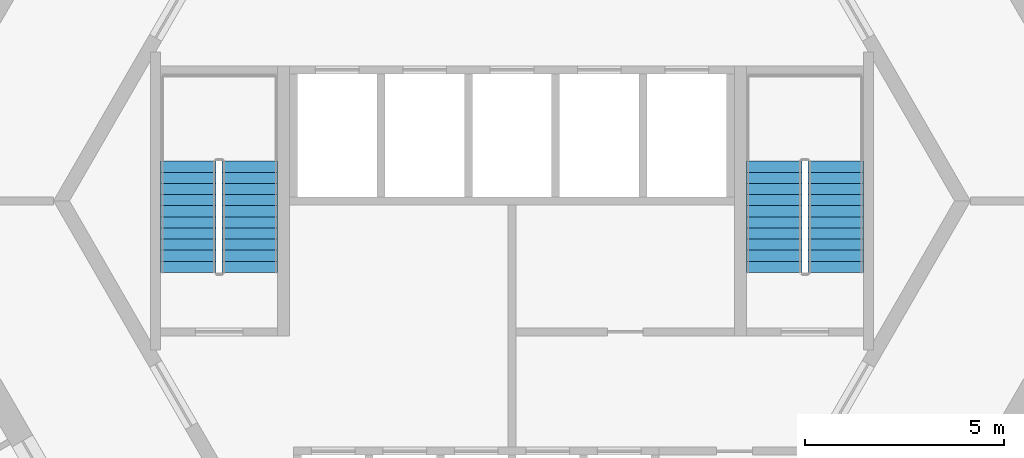
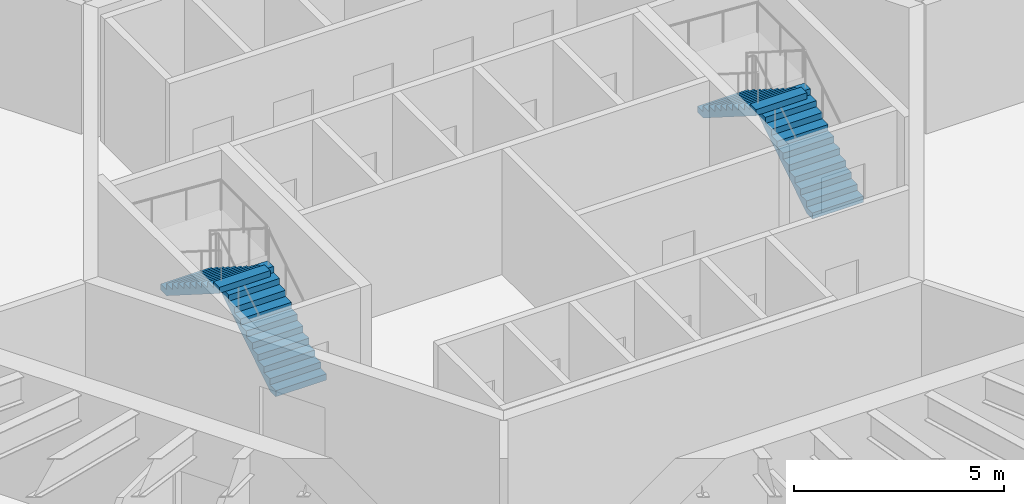
# One storey, part 11 of 13: 4 stair flights, 2 elements without a shape of their own.
"""IFC4 building model written with IfcOpenShell, lengths in metres."""

import ifcopenshell
import ifcopenshell.guid

model = None  # the IFC model being written
_history = None  # IfcOwnerHistory: only IFC2X3 demands one
_inside = {}  # id of a spatial element -> (the spatial element, [elements in it])
_under = {}  # id of a project, library or spatial element -> (it, [spatial elements below it])
_declared = {}  # id of a project -> (the project, [libraries it declares])
_typed = {}  # id of a type object -> (the type object, [elements of that type])
_made_of = {}  # id of a material, layer set ... -> (it, [elements and type objects made of it])


def new_model(schema):
    """Start an empty IFC model of exactly this schema.

    Asked for "IFC4X3", IfcOpenShell would pick the latest addendum, in which some entities
    have other attributes; the version numbers below select the first issue.
    IFC2X3 requires an IfcOwnerHistory on every rooted entity: one is made here for all.
    """
    global model, _history
    if schema == "IFC4X3":
        model = ifcopenshell.file(schema_version=(4, 3, 0, 0))
    else:
        model = ifcopenshell.file(schema=schema)
    _inside.clear()
    _under.clear()
    _declared.clear()
    _typed.clear()
    _made_of.clear()
    _history = None
    if model.schema == "IFC2X3":
        org = make("IfcOrganization", Name="unknown")
        user = make(
            "IfcPersonAndOrganization",
            ThePerson=make("IfcPerson", FamilyName="unknown"),
            TheOrganization=org,
        )
        app = make(
            "IfcApplication",
            ApplicationDeveloper=org,
            Version="unknown",
            ApplicationFullName="unknown",
            ApplicationIdentifier="unknown",
        )
        _history = make(
            "IfcOwnerHistory",
            OwningUser=user,
            OwningApplication=app,
            ChangeAction="ADDED",
            CreationDate=0,
        )
    return model


def make(cls, **values):
    """One entity of the class cls with the attributes given. An attribute that is None is left unset."""
    return model.create_entity(
        cls, **{name: value for name, value in values.items() if value is not None}
    )


def rooted(cls, **values):
    """An entity with a GlobalId (a new one), such as an element, a storey or a relation."""
    return make(cls, GlobalId=ifcopenshell.guid.new(), OwnerHistory=_history, **values)


def si_unit(unit_type, name, prefix=None):
    """IfcSIUnit, for example si_unit("LENGTHUNIT", "METRE", prefix="MILLI")."""
    return make("IfcSIUnit", UnitType=unit_type, Prefix=prefix, Name=name)


def assignment(units):
    """IfcUnitAssignment: the units of a project."""
    return None if units is None else make("IfcUnitAssignment", Units=units)


def point(xyz):
    """IfcCartesianPoint."""
    return None if xyz is None else make("IfcCartesianPoint", Coordinates=xyz)


def direction(xyz):
    """IfcDirection."""
    return None if xyz is None else make("IfcDirection", DirectionRatios=xyz)


def frame(location, z_axis=None, x_axis=None):
    """IfcAxis2Placement3D, a coordinate frame: its origin and axes. An axis left out is left unset."""
    return make(
        "IfcAxis2Placement3D",
        Location=point(location),
        Axis=direction(z_axis),
        RefDirection=direction(x_axis),
    )


def origin():
    """The frame at (0, 0, 0) with its axes left unset."""
    return frame((0.0, 0.0, 0.0))


def place(relative_to, where):
    """IfcLocalPlacement: puts the frame where relative to a parent placement (None: the world)."""
    return make(
        "IfcLocalPlacement", PlacementRelTo=relative_to, RelativePlacement=where
    )


def context(
    kind, dimensions, precision=None, world=None, true_north=None, identifier=None
):
    """IfcGeometricRepresentationContext, for example the 3D "Model" context."""
    return make(
        "IfcGeometricRepresentationContext",
        ContextIdentifier=identifier,
        ContextType=kind,
        CoordinateSpaceDimension=dimensions,
        Precision=precision,
        WorldCoordinateSystem=world,
        TrueNorth=true_north,
    )


def subcontext(parent, identifier, kind, view, scale=None):
    """IfcGeometricRepresentationSubContext, for example "Body" below "Model"."""
    return make(
        "IfcGeometricRepresentationSubContext",
        ContextIdentifier=identifier,
        ContextType=kind,
        ParentContext=parent,
        TargetScale=scale,
        TargetView=view,
    )


def project(units=None, contexts=None):
    """IfcProject with its units and contexts."""
    return rooted(
        "IfcProject",
        Name="project",
        RepresentationContexts=contexts,
        UnitsInContext=assignment(units),
    )


def spatial(cls, under=None, at=None, **own):
    """A site, building, storey or space (cls), placed at a placement, below another one or the project."""
    s = rooted(cls, ObjectPlacement=at, **own)
    if under is not None:
        _under.setdefault(under.id(), (under, []))[1].append(s)
    return s


def polyline(points):
    """IfcPolyline through the points."""
    return make("IfcPolyline", Points=[point(p) for p in points])


def outline(outer, holes=None, kind="AREA"):
    """IfcArbitraryClosedProfileDef: a profile drawn as a closed curve; with holes, ...WithVoids."""
    if holes is None:
        return make("IfcArbitraryClosedProfileDef", ProfileType=kind, OuterCurve=outer)
    return make(
        "IfcArbitraryProfileDefWithVoids",
        ProfileType=kind,
        OuterCurve=outer,
        InnerCurves=holes,
    )


def extrude(swept, where, along, depth):
    """IfcExtrudedAreaSolid: the profile swept, set in the frame where, extruded along a direction by depth."""
    return make(
        "IfcExtrudedAreaSolid",
        SweptArea=swept,
        Position=where,
        ExtrudedDirection=direction(along),
        Depth=depth,
    )


def shape(context_of_items, identifier, shape_type, items):
    """IfcShapeRepresentation: the items that make up one representation, for example the "Body"."""
    return make(
        "IfcShapeRepresentation",
        ContextOfItems=context_of_items,
        RepresentationIdentifier=identifier,
        RepresentationType=shape_type,
        Items=items,
    )


def material(Name=None, Category=None):
    """IfcMaterial."""
    return make("IfcMaterial", Name=Name, Category=Category)


def made_of(thing, what):
    """Note that an element or type object is made of a material, layer set ...; save() writes the relation."""
    if what is not None:
        _made_of.setdefault(what.id(), (what, []))[1].append(thing)
    return thing


def type_object(cls, material=None, **own):
    """A type object (cls), such as IfcWallType, which elements share."""
    return made_of(rooted(cls, **own), material)


def element(
    cls,
    number,
    at=None,
    inside=None,
    cuts=None,
    type_object=None,
    material=None,
    context=None,
    identifier="Body",
    shape_type=None,
    held_by="IfcProductDefinitionShape",
    body=None,
    shapes=None,
    **own,
):
    """One element of the class cls, such as IfcWall. Its Tag is "e" and its number.

    at: its placement. inside: the storey or other place that contains it. cuts: it is an
    opening in that element (IfcRelVoidsElement). A single representation is given by context,
    identifier, shape_type and body (its items); several are given by shapes. held_by: the class
    of the entity that holds the representations. save() writes the other relations.
    """
    e = rooted(cls, Tag="e%d" % number, ObjectPlacement=at, **own)
    if body is not None:
        shapes = [shape(context, identifier, shape_type, body)]
    if shapes is not None:
        e.Representation = make(held_by, Representations=shapes)
    if inside is not None:
        _inside.setdefault(inside.id(), (inside, []))[1].append(e)
    if cuts is not None:
        rooted(
            "IfcRelVoidsElement", RelatingBuildingElement=cuts, RelatedOpeningElement=e
        )
    if type_object is not None:
        _typed.setdefault(type_object.id(), (type_object, []))[1].append(e)
    return made_of(e, material)


def aggregate(whole, parts):
    """IfcRelAggregates: a whole, such as a stair, and the parts it consists of."""
    return rooted("IfcRelAggregates", RelatingObject=whole, RelatedObjects=parts)


def save(model, path):
    """Write the relations noted so far, then the file.

    IfcRelAggregates (storeys below a building ...), IfcRelContainedInSpatialStructure (elements
    in a storey), IfcRelDefinesByType, IfcRelAssociatesMaterial and IfcRelDeclares: one each for
    every whole, place, type object, material and project.
    """
    for whole, parts in _under.values():
        aggregate(whole, parts)
    for where, things in _inside.values():
        rooted(
            "IfcRelContainedInSpatialStructure",
            RelatedElements=things,
            RelatingStructure=where,
        )
    for kind, things in _typed.values():
        rooted("IfcRelDefinesByType", RelatedObjects=things, RelatingType=kind)
    for what, things in _made_of.values():
        rooted("IfcRelAssociatesMaterial", RelatedObjects=things, RelatingMaterial=what)
    for by, libraries in _declared.values():
        rooted("IfcRelDeclares", RelatingContext=by, RelatedDefinitions=libraries)
    model.write(path)


model = new_model("IFC4")

# Units and contexts
model_context = context("Model", 3, precision=1e-05, world=origin(), true_north=direction((0.0, 1.0)))
body_context = subcontext(model_context, "Body", "Model", "MODEL_VIEW")
ifc_project = project(units=[si_unit("LENGTHUNIT", "METRE"), si_unit("AREAUNIT", "SQUARE_METRE"), si_unit("VOLUMEUNIT", "CUBIC_METRE"), si_unit("PLANEANGLEUNIT", "RADIAN"), si_unit("MASSUNIT", "GRAM", prefix="KILO")], contexts=[model_context])

# Site, building, storey
site_placement = place(None, origin())
site = spatial("IfcSite", under=ifc_project, at=site_placement, CompositionType="ELEMENT")
building_placement = place(site_placement, origin())
building = spatial("IfcBuilding", under=site, at=building_placement, Name="Tarnside Tower", CompositionType="ELEMENT")
storey_placement = place(building_placement, frame((0.0, 0.0, 123.300048828125)))
storey = spatial("IfcBuildingStorey", under=building, at=storey_placement, Name="L28", CompositionType="ELEMENT", Elevation=123.300048828125)

# Stair, stair flights
ifc_material = material(Name="Concrete C40/50", Category="concrete")
stair_type = type_object("IfcStairType", Name="Exit stair 1400 clear", PredefinedType="HALF_TURN_STAIR", material=ifc_material)
stair_1_placement = place(storey_placement, origin())
stair_1 = element("IfcStair", 1, at=stair_1_placement, inside=storey, type_object=stair_type, Name="L28 Exit stair 1", PredefinedType="HALF_TURN_STAIR")
stair_flight_type = type_object("IfcStairFlightType", Name="Exit stair flight 1400", PredefinedType="STRAIGHT", material=ifc_material)
stair_flight_1_placement = place(storey_placement, frame((8.14990234375, -1.800048828125, 0.0), z_axis=(0.0, 0.0, 1.0), x_axis=(0.0, 1.0, 0.0)))
stair_flight_1 = element("IfcStairFlight", 2, at=stair_flight_1_placement, type_object=stair_flight_type, Name="ST1 flight 1", NumberOfRisers=11, NumberOfTreads=10, PredefinedType="STRAIGHT", RiserHeight=0.177272727, TreadLength=0.28, context=body_context, shape_type="SweptSolid", body=[
    extrude(outline(polyline([(0.0, 0.0), (0.0, 0.17724609375), (0.280029296875, 0.17724609375), (0.280029296875, 0.3544921875), (0.56005859375, 0.3544921875), (0.56005859375, 0.53173828125), (0.840087890625, 0.53173828125), (0.840087890625, 0.708984375), (1.1201171875, 0.708984375), (1.1201171875, 0.886474609375), (1.39990234375, 0.886474609375), (1.39990234375, 1.063720703125), (1.679931640625, 1.063720703125), (1.679931640625, 1.240966796875), (1.9599609375, 1.240966796875), (1.9599609375, 1.418212890625), (2.239990234375, 1.418212890625), (2.239990234375, 1.595458984375), (2.52001953125, 1.595458984375), (2.52001953125, 1.772705078125), (2.800048828125, 1.772705078125), (2.800048828125, 1.949951171875), (2.800048828125, 1.59521484375), (0.2802734375, 0.0), (0.0, 0.0)])), frame((0.0, 0.699951171875, 0.0), z_axis=(0.0, -1.0, 0.0), x_axis=(1.0, 0.0, 0.0)), (0.0, 0.0, 1.0), 1.39990234375),
])
stair_flight_2_placement = place(storey_placement, frame((6.60009765625, 1.0, 1.949951171875), z_axis=(0.0, 0.0, 1.0), x_axis=(0.0, -1.0, 0.0)))
stair_flight_2 = element("IfcStairFlight", 3, at=stair_flight_2_placement, type_object=stair_flight_type, Name="ST1 flight 2", NumberOfRisers=11, NumberOfTreads=10, PredefinedType="STRAIGHT", RiserHeight=0.177272727, TreadLength=0.28, context=body_context, shape_type="SweptSolid", body=[
    extrude(outline(polyline([(0.0, 0.0), (0.0, 0.17724609375), (0.280029296875, 0.17724609375), (0.280029296875, 0.3544921875), (0.56005859375, 0.3544921875), (0.56005859375, 0.53173828125), (0.840087890625, 0.53173828125), (0.840087890625, 0.708984375), (1.1201171875, 0.708984375), (1.1201171875, 0.886474609375), (1.39990234375, 0.886474609375), (1.39990234375, 1.063720703125), (1.679931640625, 1.063720703125), (1.679931640625, 1.240966796875), (1.9599609375, 1.240966796875), (1.9599609375, 1.418212890625), (2.239990234375, 1.418212890625), (2.239990234375, 1.595458984375), (2.52001953125, 1.595458984375), (2.52001953125, 1.772705078125), (2.800048828125, 1.772705078125), (2.800048828125, 1.949951171875), (2.800048828125, 1.59521484375), (0.2802734375, 0.0), (0.0, 0.0)])), frame((0.0, 0.699951171875, 0.0), z_axis=(0.0, -1.0, 0.0), x_axis=(1.0, 0.0, 0.0)), (0.0, 0.0, 1.0), 1.39990234375),
])
aggregate(stair_1, [stair_flight_1, stair_flight_2])

stair_2_placement = place(storey_placement, origin())
stair_2 = element("IfcStair", 4, at=stair_2_placement, inside=storey, type_object=stair_type, Name="L28 Exit stair 2", PredefinedType="HALF_TURN_STAIR")
stair_flight_3_placement = place(storey_placement, frame((-6.60009765625, -1.800048828125, 0.0), z_axis=(0.0, 0.0, 1.0), x_axis=(0.0, 1.0, 0.0)))
stair_flight_3 = element("IfcStairFlight", 5, at=stair_flight_3_placement, type_object=stair_flight_type, Name="ST2 flight 1", NumberOfRisers=11, NumberOfTreads=10, PredefinedType="STRAIGHT", RiserHeight=0.177272727, TreadLength=0.28, context=body_context, shape_type="SweptSolid", body=[
    extrude(outline(polyline([(0.0, 0.0), (0.0, 0.17724609375), (0.280029296875, 0.17724609375), (0.280029296875, 0.3544921875), (0.56005859375, 0.3544921875), (0.56005859375, 0.53173828125), (0.840087890625, 0.53173828125), (0.840087890625, 0.708984375), (1.1201171875, 0.708984375), (1.1201171875, 0.886474609375), (1.39990234375, 0.886474609375), (1.39990234375, 1.063720703125), (1.679931640625, 1.063720703125), (1.679931640625, 1.240966796875), (1.9599609375, 1.240966796875), (1.9599609375, 1.418212890625), (2.239990234375, 1.418212890625), (2.239990234375, 1.595458984375), (2.52001953125, 1.595458984375), (2.52001953125, 1.772705078125), (2.800048828125, 1.772705078125), (2.800048828125, 1.949951171875), (2.800048828125, 1.59521484375), (0.2802734375, 0.0), (0.0, 0.0)])), frame((0.0, 0.699951171875, 0.0), z_axis=(0.0, -1.0, 0.0), x_axis=(1.0, 0.0, 0.0)), (0.0, 0.0, 1.0), 1.39990234375),
])
stair_flight_4_placement = place(storey_placement, frame((-8.14990234375, 1.0, 1.949951171875), z_axis=(0.0, 0.0, 1.0), x_axis=(0.0, -1.0, 0.0)))
stair_flight_4 = element("IfcStairFlight", 6, at=stair_flight_4_placement, type_object=stair_flight_type, Name="ST2 flight 2", NumberOfRisers=11, NumberOfTreads=10, PredefinedType="STRAIGHT", RiserHeight=0.177272727, TreadLength=0.28, context=body_context, shape_type="SweptSolid", body=[
    extrude(outline(polyline([(0.0, 0.0), (0.0, 0.17724609375), (0.280029296875, 0.17724609375), (0.280029296875, 0.3544921875), (0.56005859375, 0.3544921875), (0.56005859375, 0.53173828125), (0.840087890625, 0.53173828125), (0.840087890625, 0.708984375), (1.1201171875, 0.708984375), (1.1201171875, 0.886474609375), (1.39990234375, 0.886474609375), (1.39990234375, 1.063720703125), (1.679931640625, 1.063720703125), (1.679931640625, 1.240966796875), (1.9599609375, 1.240966796875), (1.9599609375, 1.418212890625), (2.239990234375, 1.418212890625), (2.239990234375, 1.595458984375), (2.52001953125, 1.595458984375), (2.52001953125, 1.772705078125), (2.800048828125, 1.772705078125), (2.800048828125, 1.949951171875), (2.800048828125, 1.59521484375), (0.2802734375, 0.0), (0.0, 0.0)])), frame((0.0, 0.699951171875, 0.0), z_axis=(0.0, -1.0, 0.0), x_axis=(1.0, 0.0, 0.0)), (0.0, 0.0, 1.0), 1.39990234375),
])
aggregate(stair_2, [stair_flight_3, stair_flight_4])

save(model, "model.ifc")
